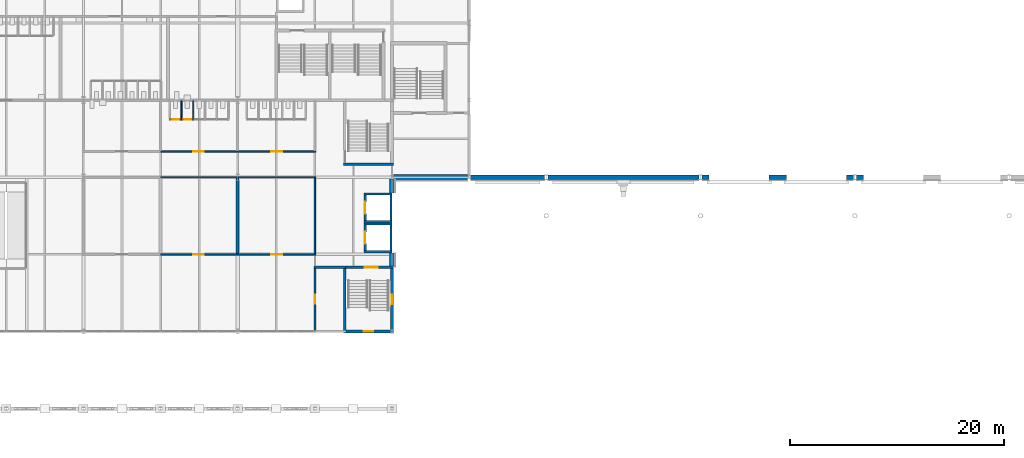
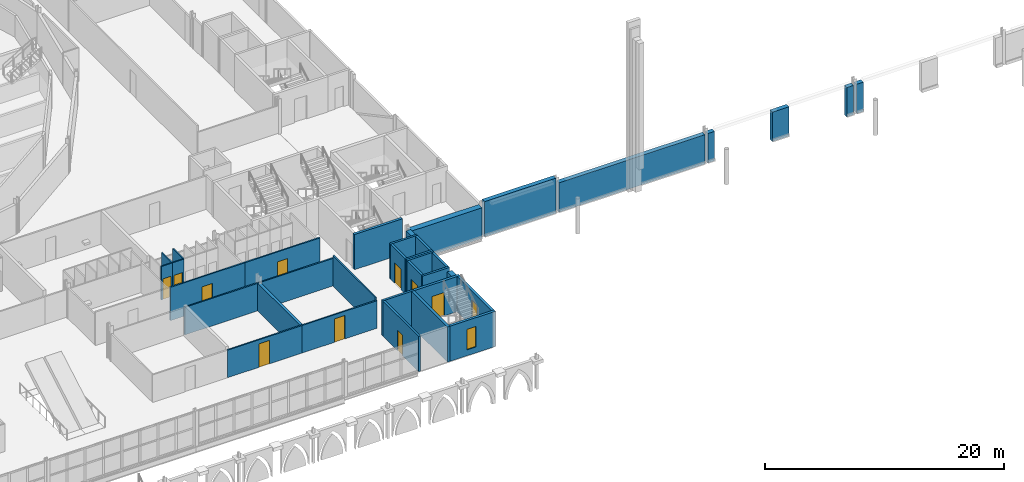
# One storey, part 48 of 90: 36 walls, 10 doors, 2 windows, 12 openings.
"""IFC4 building model written with IfcOpenShell, lengths in metres."""

from ifc_helpers import new_model, si_unit, direction, frame, frame_2d, origin, place, context, subcontext, project, spatial, rectangle, extrude, material, layer, layer_set, type_object, element, fill, save


model = new_model("IFC4")

# Units and contexts
model_context = context("Model", 3, precision=1e-05, world=origin(), true_north=direction((0.0, 1.0)))
body_context = subcontext(model_context, "Body", "Model", "MODEL_VIEW")
ifc_project = project(units=[si_unit("LENGTHUNIT", "METRE"), si_unit("AREAUNIT", "SQUARE_METRE"), si_unit("VOLUMEUNIT", "CUBIC_METRE"), si_unit("PLANEANGLEUNIT", "RADIAN"), si_unit("MASSUNIT", "GRAM", prefix="KILO")], contexts=[model_context])

# Site, building, storey
site_placement = place(None, origin())
site = spatial("IfcSite", under=ifc_project, at=site_placement, CompositionType="ELEMENT")
building_placement = place(site_placement, origin())
building = spatial("IfcBuilding", under=site, at=building_placement, Name="Kupolbacken Congress Centre", CompositionType="ELEMENT")
storey_placement = place(building_placement, frame((0.0, 0.0, 3.60009765625)))
storey = spatial("IfcBuildingStorey", under=building, at=storey_placement, Name="L01", CompositionType="ELEMENT", Elevation=3.60009765625)

# Walls
ifc_material_1 = material(Name="Brick", Category="masonry")
ifc_layer_1 = layer(ifc_material_1, 0.10791015625)
ifc_material_2 = material(Name="Air cavity", Category="air")
ifc_layer_2 = layer(ifc_material_2, 0.0400390625, ventilated=True)
ifc_material_3 = material(Name="Mineral wool", Category="insulation")
ifc_layer_3 = layer(ifc_material_3, 0.152099609375)
ifc_material_4 = material(Name="Concrete block", Category="masonry")
ifc_layer_4 = layer(ifc_material_4, 0.1201171875)
ifc_layer_set_1 = layer_set([ifc_layer_1, ifc_layer_2, ifc_layer_3, ifc_layer_4], Name="Brick / Mineral wool / Concrete block")
wall_type_1 = type_object("IfcWallType", Name="EW04 external cavity wall 420", PredefinedType="SOLIDWALL", material=ifc_layer_set_1)
wall_1_placement = place(storey_placement, frame((86.550048828125, 43.199951171875, 0.0), z_axis=(0.0, 0.0, 1.0), x_axis=(1.0, 0.0, 0.0)))
element("IfcWall", 1, at=wall_1_placement, inside=storey, type_object=wall_type_1, Name="E/H/S/L01/171", PredefinedType="SOLIDWALL", context=body_context, shape_type="SweptSolid", body=[
    extrude(rectangle(XDim=6.89990234375, YDim=0.419921875, at=frame_2d((3.449951171875, 0.0))), origin(), (0.0, 0.0, 1.0), 3.599853515625),
])
wall_2_placement = place(storey_placement, frame((93.75, 43.199951171875, 0.0), z_axis=(0.0, 0.0, 1.0), x_axis=(1.0, 0.0, 0.0)))
element("IfcWall", 2, at=wall_2_placement, inside=storey, type_object=wall_type_1, Name="E/H/S/L01/172", PredefinedType="SOLIDWALL", context=body_context, shape_type="SweptSolid", body=[
    extrude(rectangle(XDim=14.10009765625, YDim=0.419921875, at=frame_2d((7.050048828125, 0.0))), origin(), (0.0, 0.0, 1.0), 3.0),
])
wall_3_placement = place(storey_placement, frame((108.14990234375, 43.199951171875, 0.0), z_axis=(0.0, 0.0, 1.0), x_axis=(1.0, 0.0, 0.0)))
element("IfcWall", 3, at=wall_3_placement, inside=storey, type_object=wall_type_1, Name="E/H/S/L01/173", PredefinedType="SOLIDWALL", context=body_context, shape_type="SweptSolid", body=[
    extrude(rectangle(XDim=0.650146484375, YDim=0.419921875, at=frame_2d((0.3251953125, 0.0))), origin(), (0.0, 0.0, 1.0), 3.0),
])
wall_4_placement = place(storey_placement, frame((114.39990234375, 43.199951171875, 0.0), z_axis=(0.0, 0.0, 1.0), x_axis=(1.0, 0.0, 0.0)))
element("IfcWall", 4, at=wall_4_placement, inside=storey, type_object=wall_type_1, Name="E/H/S/L01/174", PredefinedType="SOLIDWALL", context=body_context, shape_type="SweptSolid", body=[
    extrude(rectangle(XDim=1.60009765625, YDim=0.419921875, at=frame_2d((0.800048828125, 0.0))), origin(), (0.0, 0.0, 1.0), 3.0),
])
for number, where, z_axis, x_axis, name in (
    (5, (121.60009765625, 43.199951171875, 0.0), (0.0, 0.0, 1.0), (1.0, 0.0, 0.0), "E/H/S/L01/175"),
    (6, (122.550048828125, 43.199951171875, 0.0), (0.0, 0.0, 1.0), (1.0, 0.0, 0.0), "E/H/S/L01/176"),
):
    element("IfcWall", number, at=place(storey_placement, frame(where, z_axis=z_axis, x_axis=x_axis)), inside=storey, type_object=wall_type_1, Name=name, PredefinedType="SOLIDWALL", context=body_context, shape_type="SweptSolid", body=[
        extrude(rectangle(XDim=0.64990234375, YDim=0.419921875, at=frame_2d((0.324951171875, 0.0))), origin(), (0.0, 0.0, 1.0), 3.0),
    ])
ifc_material_5 = material(Name="Concrete C40/50", Category="concrete")
ifc_layer_5 = layer(ifc_material_5, 0.1201171875)
ifc_layer_6 = layer(ifc_material_3, 0.19189453125)
ifc_layer_7 = layer(ifc_material_2, 0.0400390625, ventilated=True)
ifc_layer_8 = layer(ifc_material_1, 0.10791015625)
ifc_layer_set_2 = layer_set([ifc_layer_5, ifc_layer_6, ifc_layer_7, ifc_layer_8], Name="Concrete C40/50 / Mineral wool / Brick")
wall_type_2 = type_object("IfcWallType", Name="EW06 external cavity wall 460", PredefinedType="SOLIDWALL", material=ifc_layer_set_2)
wall_5_placement = place(storey_placement, frame((79.199951171875, 34.925048828125, 0.0), z_axis=(0.0, 0.0, 1.0), x_axis=(0.0, 1.0, 0.0)))
element("IfcWall", 7, at=wall_5_placement, inside=storey, type_object=wall_type_2, Name="E/F/E/L01/133", PredefinedType="SOLIDWALL", context=body_context, shape_type="SweptSolid", body=[
    extrude(rectangle(XDim=1.224853515625, YDim=0.4599609375, at=frame_2d((0.6123046875, 0.0))), origin(), (0.0, 0.0, 1.0), 3.219970703125),
])
wall_6_placement = place(storey_placement, frame((79.199951171875, 41.75, 0.0), z_axis=(0.0, 0.0, 1.0), x_axis=(0.0, 1.0, 0.0)))
element("IfcWall", 8, at=wall_6_placement, inside=storey, type_object=wall_type_2, Name="E/F/E/L01/134", PredefinedType="SOLIDWALL", context=body_context, shape_type="SweptSolid", body=[
    extrude(rectangle(XDim=1.300048828125, YDim=0.4599609375, at=frame_2d((0.64990234375, 0.0))), origin(), (0.0, 0.0, 1.0), 3.219970703125),
])
ifc_layer_9 = layer(ifc_material_5, 0.199951171875)
ifc_layer_10 = layer(ifc_material_3, 0.199951171875)
ifc_layer_11 = layer(ifc_material_2, 0.0400390625, ventilated=True)
ifc_material_6 = material(Name="Limestone", Category="masonry")
ifc_layer_12 = layer(ifc_material_6, 0.1201171875)
ifc_layer_set_3 = layer_set([ifc_layer_9, ifc_layer_10, ifc_layer_11, ifc_layer_12], Name="Concrete C40/50 / Mineral wool / Limestone")
wall_type_3 = type_object("IfcWallType", Name="EW09 external cavity wall 560", PredefinedType="SOLIDWALL", material=ifc_layer_set_3)
wall_7_placement = place(storey_placement, frame((79.35009765625, 43.199951171875, 0.0), z_axis=(0.0, 0.0, 1.0), x_axis=(1.0, 0.0, 0.0)))
element("IfcWall", 9, at=wall_7_placement, inside=storey, type_object=wall_type_3, Name="E/LINK/S/L01/188", PredefinedType="SOLIDWALL", context=body_context, shape_type="SweptSolid", body=[
    extrude(rectangle(XDim=6.89990234375, YDim=0.56005859375, at=frame_2d((3.449951171875, 0.0))), origin(), (0.0, 0.0, 1.0), 3.119873046875),
])

# Wall, opening, door
ifc_material_7 = material(Name="Gypsum board", Category="drywall")
ifc_layer_13 = layer(ifc_material_7, 0.114990234375)
ifc_layer_set_4 = layer_set([ifc_layer_13], Name="Gypsum board")
wall_type_4 = type_object("IfcWallType", Name="P04 partition 115", PredefinedType="PARTITIONING", material=ifc_layer_set_4)
wall_8_placement = place(storey_placement, frame((58.449951171875, 48.60009765625, 0.0), z_axis=(0.0, 0.0, 1.0), x_axis=(1.0, 0.0, 0.0)))
wall_8 = element("IfcWall", 10, at=wall_8_placement, inside=storey, type_object=wall_type_4, Name="PD/L01/F-WC-02/cub01/F", PredefinedType="PARTITIONING", context=body_context, shape_type="SweptSolid", body=[
    extrude(rectangle(XDim=1.10009765625, YDim=0.114990234375, at=frame_2d((0.550048828125, 0.0))), origin(), (0.0, 0.0, 1.0), 3.419921875),
])
opening_1_placement = place(wall_8_placement, frame((0.14990234375, 0.0, 0.0)))
opening_1 = element("IfcOpeningElement", 11, at=opening_1_placement, cuts=wall_8, Name="Opening 1.WF21", PredefinedType="OPENING", context=body_context, shape_type="SweptSolid", body=[
    extrude(rectangle(XDim=0.800048828125, YDim=2.10009765625, at=frame_2d((0.39990234375, 1.050048828125))), frame((0.0, 0.0673828125, 0.0), z_axis=(0.0, -1.0, 0.0), x_axis=(1.0, 0.0, 0.0)), (0.0, 0.0, 1.0), 0.135009765625),
])
ifc_material_8 = material(Name="Timber door leaf", Category="wood")
door_type_1 = type_object("IfcDoorType", Name="D2 door 800x2100", OperationType="SINGLE_SWING_LEFT", PredefinedType="DOOR", material=ifc_material_8)
door_1_placement = place(opening_1_placement, origin())
door_1 = element("IfcDoor", 12, at=door_1_placement, inside=storey, type_object=door_type_1, Name="PD/L01/F-WC-02/cub01/F/DC", OperationType="SINGLE_SWING_RIGHT", OverallHeight=2.10009765625, OverallWidth=0.800048828125, PredefinedType="DOOR", context=body_context, shape_type="SweptSolid", body=[
    extrude(rectangle(XDim=0.800048828125, YDim=2.10009765625, at=frame_2d((0.39990234375, 1.050048828125))), frame((0.0, 0.02490234375, 0.0), z_axis=(0.0, -1.0, 0.0), x_axis=(1.0, 0.0, 0.0)), (0.0, 0.0, 1.0), 0.050048828125),
])
fill(opening_1, door_1)

wall_9_placement = place(storey_placement, frame((59.550048828125, 48.60009765625, 0.0), z_axis=(0.0, 0.0, 1.0), x_axis=(1.0, 0.0, 0.0)))
wall_9 = element("IfcWall", 13, at=wall_9_placement, inside=storey, type_object=wall_type_4, Name="PD/L01/F-WC-02/cub02/F", PredefinedType="PARTITIONING", context=body_context, shape_type="SweptSolid", body=[
    extrude(rectangle(XDim=1.099853515625, YDim=0.114990234375, at=frame_2d((0.5498046875, 0.0))), origin(), (0.0, 0.0, 1.0), 3.419921875),
])
opening_2_placement = place(wall_9_placement, frame((0.14990234375, 0.0, 0.0)))
opening_2 = element("IfcOpeningElement", 14, at=opening_2_placement, cuts=wall_9, Name="Opening 1.WF22", PredefinedType="OPENING", context=body_context, shape_type="SweptSolid", body=[
    extrude(rectangle(XDim=0.800048828125, YDim=2.10009765625, at=frame_2d((0.39990234375, 1.050048828125))), frame((0.0, 0.0673828125, 0.0), z_axis=(0.0, -1.0, 0.0), x_axis=(1.0, 0.0, 0.0)), (0.0, 0.0, 1.0), 0.135009765625),
])
door_2_placement = place(opening_2_placement, origin())
door_2 = element("IfcDoor", 15, at=door_2_placement, inside=storey, type_object=door_type_1, Name="PD/L01/F-WC-02/cub02/F/DC", OperationType="SINGLE_SWING_RIGHT", OverallHeight=2.10009765625, OverallWidth=0.800048828125, PredefinedType="DOOR", context=body_context, shape_type="SweptSolid", body=[
    extrude(rectangle(XDim=0.800048828125, YDim=2.10009765625, at=frame_2d((0.39990234375, 1.050048828125))), frame((0.0, 0.02490234375, 0.0), z_axis=(0.0, -1.0, 0.0), x_axis=(1.0, 0.0, 0.0)), (0.0, 0.0, 1.0), 0.050048828125),
])
fill(opening_2, door_2)

# Walls
for number, where, z_axis, x_axis, name in (
    (16, (59.550048828125, 50.342529296875, 0.0), (0.0, 0.0, 1.0), (0.0, -1.0, 0.0), "PD/L01/F-WC-02/cub02/a"),
    (17, (60.64990234375, 50.342529296875, 0.0), (0.0, 0.0, 1.0), (0.0, -1.0, 0.0), "PD/L01/F-WC-02/cub03/a"),
):
    element("IfcWall", number, at=place(storey_placement, frame(where, z_axis=z_axis, x_axis=x_axis)), inside=storey, type_object=wall_type_4, Name=name, PredefinedType="PARTITIONING", context=body_context, shape_type="SweptSolid", body=[
        extrude(rectangle(XDim=1.68505859375, YDim=0.114990234375, at=frame_2d((0.842529296875, 0.0))), origin(), (0.0, 0.0, 1.0), 3.419921875),
    ])
ifc_material_9 = material(Name="Gypsum board", Category="drywall")
ifc_layer_14 = layer(ifc_material_9, 0.135009765625)
ifc_layer_set_5 = layer_set([ifc_layer_14], Name="Gypsum board")
wall_type_5 = type_object("IfcWallType", Name="P06 compartment wall 135", PredefinedType="PARTITIONING", material=ifc_layer_set_5)
wall_10_placement = place(storey_placement, frame((72.0, 36.0673828125, 0.0), z_axis=(0.0, 0.0, 1.0), x_axis=(0.0, 1.0, 0.0)))
element("IfcWall", 18, at=wall_10_placement, inside=storey, type_object=wall_type_5, Name="PD/L01/W002", PredefinedType="PARTITIONING", context=body_context, shape_type="SweptSolid", body=[
    extrude(rectangle(XDim=7.065185546875, YDim=0.135009765625, at=frame_2d((3.53271484375, 0.0))), origin(), (0.0, 0.0, 1.0), 3.119873046875),
])

# Wall, opening, door
wall_11_placement = place(storey_placement, frame((57.60009765625, 36.0, 0.0), z_axis=(0.0, 0.0, 1.0), x_axis=(1.0, 0.0, 0.0)))
wall_11 = element("IfcWall", 19, at=wall_11_placement, inside=storey, type_object=wall_type_5, Name="PD/L01/W027", PredefinedType="PARTITIONING", context=body_context, shape_type="SweptSolid", body=[
    extrude(rectangle(XDim=7.199951171875, YDim=0.135009765625, at=frame_2d((3.60009765625, 0.0))), origin(), (0.0, 0.0, 1.0), 2.81982421875),
])
opening_3_placement = place(wall_11_placement, frame((3.050048828125, 0.0, 0.0)))
opening_3 = element("IfcOpeningElement", 20, at=opening_3_placement, cuts=wall_11, Name="Opening 1.F11", PredefinedType="OPENING", context=body_context, shape_type="SweptSolid", body=[
    extrude(rectangle(XDim=1.0, YDim=2.39990234375, at=frame_2d((0.5, 1.199951171875))), frame((0.0, 0.077392578125, 0.0), z_axis=(0.0, -1.0, 0.0), x_axis=(1.0, 0.0, 0.0)), (0.0, 0.0, 1.0), 0.155029296875),
])
ifc_material_10 = material(Name="Steel fire door leaf", Category="steel")
door_type_2 = type_object("IfcDoorType", Name="D8 fire door 1000x2400", OperationType="SINGLE_SWING_LEFT", PredefinedType="DOOR", material=ifc_material_10)
door_3_placement = place(opening_3_placement, origin())
door_3 = element("IfcDoor", 21, at=door_3_placement, inside=storey, type_object=door_type_2, Name="PD/L01/W027/D1F11", OperationType="SINGLE_SWING_RIGHT", OverallHeight=2.39990234375, OverallWidth=1.0, PredefinedType="DOOR", context=body_context, shape_type="SweptSolid", body=[
    extrude(rectangle(XDim=1.0, YDim=2.39990234375, at=frame_2d((0.5, 1.199951171875))), frame((0.0, 0.02490234375, 0.0), z_axis=(0.0, -1.0, 0.0), x_axis=(1.0, 0.0, 0.0)), (0.0, 0.0, 1.0), 0.050048828125),
])
fill(opening_3, door_3)

wall_12_placement = place(storey_placement, frame((64.800048828125, 36.0, 0.0), z_axis=(0.0, 0.0, 1.0), x_axis=(1.0, 0.0, 0.0)))
wall_12 = element("IfcWall", 22, at=wall_12_placement, inside=storey, type_object=wall_type_5, Name="PD/L01/W028", PredefinedType="PARTITIONING", context=body_context, shape_type="SweptSolid", body=[
    extrude(rectangle(XDim=7.267333984375, YDim=0.135009765625, at=frame_2d((3.6337890625, 0.0))), origin(), (0.0, 0.0, 1.0), 2.81982421875),
])
opening_4_placement = place(wall_12_placement, frame((3.14990234375, 0.0, 0.0)))
opening_4 = element("IfcOpeningElement", 23, at=opening_4_placement, cuts=wall_12, Name="Opening 1.F12", PredefinedType="OPENING", context=body_context, shape_type="SweptSolid", body=[
    extrude(rectangle(XDim=1.0, YDim=2.39990234375, at=frame_2d((0.5, 1.199951171875))), frame((0.0, 0.077392578125, 0.0), z_axis=(0.0, -1.0, 0.0), x_axis=(1.0, 0.0, 0.0)), (0.0, 0.0, 1.0), 0.155029296875),
])
door_4_placement = place(opening_4_placement, origin())
door_4 = element("IfcDoor", 24, at=door_4_placement, inside=storey, type_object=door_type_2, Name="PD/L01/W028/D1F12", OperationType="SINGLE_SWING_LEFT", OverallHeight=2.39990234375, OverallWidth=1.0, PredefinedType="DOOR", context=body_context, shape_type="SweptSolid", body=[
    extrude(rectangle(XDim=1.0, YDim=2.39990234375, at=frame_2d((0.5, 1.199951171875))), frame((0.0, 0.02490234375, 0.0), z_axis=(0.0, -1.0, 0.0), x_axis=(1.0, 0.0, 0.0)), (0.0, 0.0, 1.0), 0.050048828125),
])
fill(opening_4, door_4)

# Walls
wall_13_placement = place(storey_placement, frame((57.60009765625, 43.199951171875, 0.0), z_axis=(0.0, 0.0, 1.0), x_axis=(1.0, 0.0, 0.0)))
element("IfcWall", 25, at=wall_13_placement, inside=storey, type_object=wall_type_5, Name="PD/L01/W044", PredefinedType="PARTITIONING", context=body_context, shape_type="SweptSolid", body=[
    extrude(rectangle(XDim=7.199951171875, YDim=0.135009765625, at=frame_2d((3.60009765625, 0.0))), origin(), (0.0, 0.0, 1.0), 2.81982421875),
])
wall_14_placement = place(storey_placement, frame((64.800048828125, 43.199951171875, 0.0), z_axis=(0.0, 0.0, 1.0), x_axis=(1.0, 0.0, 0.0)))
element("IfcWall", 26, at=wall_14_placement, inside=storey, type_object=wall_type_5, Name="PD/L01/W045", PredefinedType="PARTITIONING", context=body_context, shape_type="SweptSolid", body=[
    extrude(rectangle(XDim=7.267333984375, YDim=0.135009765625, at=frame_2d((3.6337890625, 0.0))), origin(), (0.0, 0.0, 1.0), 2.81982421875),
])

# Wall, opening, door
wall_15_placement = place(storey_placement, frame((57.60009765625, 45.60009765625, 0.0), z_axis=(0.0, 0.0, 1.0), x_axis=(1.0, 0.0, 0.0)))
wall_15 = element("IfcWall", 27, at=wall_15_placement, inside=storey, type_object=wall_type_5, Name="PD/L01/W047", PredefinedType="PARTITIONING", context=body_context, shape_type="SweptSolid", body=[
    extrude(rectangle(XDim=7.199951171875, YDim=0.135009765625, at=frame_2d((3.60009765625, 0.0))), origin(), (0.0, 0.0, 1.0), 3.419921875),
])
opening_5_placement = place(wall_15_placement, frame((3.050048828125, 0.0, 0.0)))
opening_5 = element("IfcOpeningElement", 28, at=opening_5_placement, cuts=wall_15, Name="Opening 1.F14", PredefinedType="OPENING", context=body_context, shape_type="SweptSolid", body=[
    extrude(rectangle(XDim=1.0, YDim=2.39990234375, at=frame_2d((0.5, 1.199951171875))), frame((0.0, 0.077392578125, 0.0), z_axis=(0.0, -1.0, 0.0), x_axis=(1.0, 0.0, 0.0)), (0.0, 0.0, 1.0), 0.155029296875),
])
door_5_placement = place(opening_5_placement, frame((1.0, 0.0, 0.0), z_axis=(0.0, 0.0, 1.0), x_axis=(-1.0, 0.0, 0.0)))
door_5 = element("IfcDoor", 29, at=door_5_placement, inside=storey, type_object=door_type_2, Name="PD/L01/W047/D1F14", OperationType="SINGLE_SWING_RIGHT", OverallHeight=2.39990234375, OverallWidth=1.0, PredefinedType="DOOR", context=body_context, shape_type="SweptSolid", body=[
    extrude(rectangle(XDim=1.0, YDim=2.39990234375, at=frame_2d((0.5, 1.199951171875))), frame((0.0, 0.02490234375, 0.0), z_axis=(0.0, -1.0, 0.0), x_axis=(1.0, 0.0, 0.0)), (0.0, 0.0, 1.0), 0.050048828125),
])
fill(opening_5, door_5)

wall_16_placement = place(storey_placement, frame((64.800048828125, 45.60009765625, 0.0), z_axis=(0.0, 0.0, 1.0), x_axis=(1.0, 0.0, 0.0)))
wall_16 = element("IfcWall", 30, at=wall_16_placement, inside=storey, type_object=wall_type_5, Name="PD/L01/W048", PredefinedType="PARTITIONING", context=body_context, shape_type="SweptSolid", body=[
    extrude(rectangle(XDim=7.267333984375, YDim=0.135009765625, at=frame_2d((3.6337890625, 0.0))), origin(), (0.0, 0.0, 1.0), 3.419921875),
])
opening_6_placement = place(wall_16_placement, frame((3.14990234375, 0.0, 0.0)))
opening_6 = element("IfcOpeningElement", 31, at=opening_6_placement, cuts=wall_16, Name="Opening 1.F15", PredefinedType="OPENING", context=body_context, shape_type="SweptSolid", body=[
    extrude(rectangle(XDim=1.0, YDim=2.39990234375, at=frame_2d((0.5, 1.199951171875))), frame((0.0, 0.077392578125, 0.0), z_axis=(0.0, -1.0, 0.0), x_axis=(1.0, 0.0, 0.0)), (0.0, 0.0, 1.0), 0.155029296875),
])
door_6_placement = place(opening_6_placement, frame((1.0, 0.0, 0.0), z_axis=(0.0, 0.0, 1.0), x_axis=(-1.0, 0.0, 0.0)))
door_6 = element("IfcDoor", 32, at=door_6_placement, inside=storey, type_object=door_type_2, Name="PD/L01/W048/D1F15", OperationType="SINGLE_SWING_RIGHT", OverallHeight=2.39990234375, OverallWidth=1.0, PredefinedType="DOOR", context=body_context, shape_type="SweptSolid", body=[
    extrude(rectangle(XDim=1.0, YDim=2.39990234375, at=frame_2d((0.5, 1.199951171875))), frame((0.0, 0.02490234375, 0.0), z_axis=(0.0, -1.0, 0.0), x_axis=(1.0, 0.0, 0.0)), (0.0, 0.0, 1.0), 0.050048828125),
])
fill(opening_6, door_6)

# Wall
ifc_material_11 = material(Name="Gypsum board", Category="drywall")
ifc_layer_15 = layer(ifc_material_11, 0.27490234375)
ifc_layer_set_6 = layer_set([ifc_layer_15], Name="Gypsum board")
wall_type_6 = type_object("IfcWallType", Name="P12 partition 275", PredefinedType="PARTITIONING", material=ifc_layer_set_6)
wall_17_placement = place(storey_placement, frame((64.800048828125, 43.132568359375, 0.0), z_axis=(0.0, 0.0, 1.0), x_axis=(0.0, -1.0, 0.0)))
element("IfcWall", 33, at=wall_17_placement, inside=storey, type_object=wall_type_6, Name="PD/L01/W043", PredefinedType="PARTITIONING", context=body_context, shape_type="SweptSolid", body=[
    extrude(rectangle(XDim=7.065185546875, YDim=0.27490234375, at=frame_2d((3.53271484375, 0.0))), origin(), (0.0, 0.0, 1.0), 2.81982421875),
])

# Wall, opening, door
ifc_material_12 = material(Name="Concrete C40/50", Category="concrete")
ifc_layer_16 = layer(ifc_material_12, 0.199951171875)
ifc_layer_set_7 = layer_set([ifc_layer_16], Name="Concrete C40/50")
wall_type_7 = type_object("IfcWallType", Name="WC1 RC shaft wall 200", PredefinedType="SHEAR", material=ifc_layer_set_7)
wall_18_placement = place(storey_placement, frame((72.0, 34.89990234375, 0.0), z_axis=(0.0, 0.0, 1.0), x_axis=(0.0, -1.0, 0.0)))
wall_18 = element("IfcWall", 34, at=wall_18_placement, inside=storey, type_object=wall_type_7, Name="Shaft wall L01-010", PredefinedType="SHEAR", context=body_context, shape_type="SweptSolid", body=[
    extrude(rectangle(XDim=6.199951171875, YDim=0.199951171875, at=frame_2d((3.10009765625, 0.0))), origin(), (0.0, 0.0, 1.0), 3.599853515625),
])
opening_7_placement = place(wall_18_placement, frame((2.64990234375, 0.0, 0.0)))
opening_7 = element("IfcOpeningElement", 35, at=opening_7_placement, cuts=wall_18, Name="Opening 1.F06", PredefinedType="OPENING", context=body_context, shape_type="SweptSolid", body=[
    extrude(rectangle(XDim=0.85009765625, YDim=2.10009765625, at=frame_2d((0.425048828125, 1.050048828125))), frame((0.0, 0.10986328125, 0.0), z_axis=(0.0, -1.0, 0.0), x_axis=(1.0, 0.0, 0.0)), (0.0, 0.0, 1.0), 0.219970703125),
])
ifc_material_13 = material(Name="Steel fire door leaf", Category="steel")
door_type_3 = type_object("IfcDoorType", Name="D3 fire door 850x2100", OperationType="SINGLE_SWING_LEFT", PredefinedType="DOOR", material=ifc_material_13)
door_7_placement = place(opening_7_placement, origin())
door_7 = element("IfcDoor", 36, at=door_7_placement, inside=storey, type_object=door_type_3, Name="S/core/L01/010/D1F06", OperationType="SINGLE_SWING_RIGHT", OverallHeight=2.10009765625, OverallWidth=0.85009765625, PredefinedType="DOOR", context=body_context, shape_type="SweptSolid", body=[
    extrude(rectangle(XDim=0.85009765625, YDim=2.10009765625, at=frame_2d((0.425048828125, 1.050048828125))), frame((0.0, 0.02490234375, 0.0), z_axis=(0.0, -1.0, 0.0), x_axis=(1.0, 0.0, 0.0)), (0.0, 0.0, 1.0), 0.050048828125),
])
fill(opening_7, door_7)

# Walls
wall_19_placement = place(storey_placement, frame((74.925048828125, 34.800048828125, 0.0), z_axis=(0.0, 0.0, 1.0), x_axis=(-1.0, 0.0, 0.0)))
element("IfcWall", 37, at=wall_19_placement, inside=storey, type_object=wall_type_7, Name="Shaft wall L01-012", PredefinedType="SHEAR", context=body_context, shape_type="SweptSolid", body=[
    extrude(rectangle(XDim=3.025146484375, YDim=0.199951171875, at=frame_2d((1.5126953125, 0.0))), origin(), (0.0, 0.0, 1.0), 3.599853515625),
])
for number, where, z_axis, x_axis, name in (
    (38, (76.60009765625, 36.25, 0.0), (0.0, 0.0, 1.0), (1.0, 0.0, 0.0), "Shaft wall LP3"),
    (39, (76.60009765625, 38.85009765625, 0.0), (0.0, 0.0, 1.0), (1.0, 0.0, 0.0), "Shaft wall LP3"),
):
    element("IfcWall", number, at=place(storey_placement, frame(where, z_axis=z_axis, x_axis=x_axis)), inside=storey, type_object=wall_type_7, Name=name, PredefinedType="SHEAR", context=body_context, shape_type="SweptSolid", body=[
        extrude(rectangle(XDim=2.599853515625, YDim=0.199951171875, at=frame_2d((1.2998046875, 0.0))), origin(), (0.0, 0.0, 1.0), 3.599853515625),
    ])

# Wall, opening, door
wall_20_placement = place(storey_placement, frame((76.699951171875, 36.35009765625, 0.0), z_axis=(0.0, 0.0, 1.0), x_axis=(0.0, 1.0, 0.0)))
wall_20 = element("IfcWall", 40, at=wall_20_placement, inside=storey, type_object=wall_type_7, Name="Shaft wall LP3", PredefinedType="SHEAR", context=body_context, shape_type="SweptSolid", body=[
    extrude(rectangle(XDim=2.39990234375, YDim=0.199951171875, at=frame_2d((1.199951171875, 0.0))), origin(), (0.0, 0.0, 1.0), 3.599853515625),
])
opening_8_placement = place(wall_20_placement, frame((0.64990234375, 0.0, 0.0)))
opening_8 = element("IfcOpeningElement", 41, at=opening_8_placement, cuts=wall_20, Name="Opening LD2", PredefinedType="OPENING", context=body_context, shape_type="SweptSolid", body=[
    extrude(rectangle(XDim=1.10009765625, YDim=2.10009765625, at=frame_2d((0.550048828125, 1.050048828125))), frame((0.0, 0.10986328125, 0.0), z_axis=(0.0, -1.0, 0.0), x_axis=(1.0, 0.0, 0.0)), (0.0, 0.0, 1.0), 0.219970703125),
])
ifc_material_14 = material(Name="Stainless steel door leaf", Category="steel")
door_type_4 = type_object("IfcDoorType", Name="LD2 lift landing door 1100x2100", OperationType="SLIDING_TO_LEFT", PredefinedType="DOOR", material=ifc_material_14)
door_8_placement = place(opening_8_placement, origin())
door_8 = element("IfcDoor", 42, at=door_8_placement, inside=storey, type_object=door_type_4, Name="Lift landing door LP3", OperationType="SLIDING_TO_LEFT", OverallHeight=2.10009765625, OverallWidth=1.10009765625, PredefinedType="DOOR", context=body_context, shape_type="SweptSolid", body=[
    extrude(rectangle(XDim=1.10009765625, YDim=2.10009765625, at=frame_2d((0.550048828125, 1.050048828125))), frame((0.0, 0.02490234375, 0.0), z_axis=(0.0, -1.0, 0.0), x_axis=(1.0, 0.0, 0.0)), (0.0, 0.0, 1.0), 0.050048828125),
])
fill(opening_8, door_8)

# Walls
wall_21_placement = place(storey_placement, frame((79.10009765625, 36.35009765625, 0.0), z_axis=(0.0, 0.0, 1.0), x_axis=(0.0, 1.0, 0.0)))
element("IfcWall", 43, at=wall_21_placement, inside=storey, type_object=wall_type_7, Name="Shaft wall LP3", PredefinedType="SHEAR", context=body_context, shape_type="SweptSolid", body=[
    extrude(rectangle(XDim=2.39990234375, YDim=0.199951171875, at=frame_2d((1.199951171875, 0.0))), origin(), (0.0, 0.0, 1.0), 3.599853515625),
])
for number, where, z_axis, x_axis, name in (
    (44, (76.60009765625, 39.050048828125, 0.0), (0.0, 0.0, 1.0), (1.0, 0.0, 0.0), "Shaft wall LP4"),
    (45, (76.60009765625, 41.64990234375, 0.0), (0.0, 0.0, 1.0), (1.0, 0.0, 0.0), "Shaft wall LP4"),
):
    element("IfcWall", number, at=place(storey_placement, frame(where, z_axis=z_axis, x_axis=x_axis)), inside=storey, type_object=wall_type_7, Name=name, PredefinedType="SHEAR", context=body_context, shape_type="SweptSolid", body=[
        extrude(rectangle(XDim=2.599853515625, YDim=0.199951171875, at=frame_2d((1.2998046875, 0.0))), origin(), (0.0, 0.0, 1.0), 3.599853515625),
    ])

# Wall, opening, door
wall_22_placement = place(storey_placement, frame((76.699951171875, 39.14990234375, 0.0), z_axis=(0.0, 0.0, 1.0), x_axis=(0.0, 1.0, 0.0)))
wall_22 = element("IfcWall", 46, at=wall_22_placement, inside=storey, type_object=wall_type_7, Name="Shaft wall LP4", PredefinedType="SHEAR", context=body_context, shape_type="SweptSolid", body=[
    extrude(rectangle(XDim=2.400146484375, YDim=0.199951171875, at=frame_2d((1.2001953125, 0.0))), origin(), (0.0, 0.0, 1.0), 3.599853515625),
])
opening_9_placement = place(wall_22_placement, frame((0.64990234375, 0.0, 0.0)))
opening_9 = element("IfcOpeningElement", 47, at=opening_9_placement, cuts=wall_22, Name="Opening LD2", PredefinedType="OPENING", context=body_context, shape_type="SweptSolid", body=[
    extrude(rectangle(XDim=1.10009765625, YDim=2.10009765625, at=frame_2d((0.550048828125, 1.050048828125))), frame((0.0, 0.10986328125, 0.0), z_axis=(0.0, -1.0, 0.0), x_axis=(1.0, 0.0, 0.0)), (0.0, 0.0, 1.0), 0.219970703125),
])
door_9_placement = place(opening_9_placement, origin())
door_9 = element("IfcDoor", 48, at=door_9_placement, inside=storey, type_object=door_type_4, Name="Lift landing door LP4", OperationType="SLIDING_TO_LEFT", OverallHeight=2.10009765625, OverallWidth=1.10009765625, PredefinedType="DOOR", context=body_context, shape_type="SweptSolid", body=[
    extrude(rectangle(XDim=1.10009765625, YDim=2.10009765625, at=frame_2d((0.550048828125, 1.050048828125))), frame((0.0, 0.02490234375, 0.0), z_axis=(0.0, -1.0, 0.0), x_axis=(1.0, 0.0, 0.0)), (0.0, 0.0, 1.0), 0.050048828125),
])
fill(opening_9, door_9)

# Wall
wall_23_placement = place(storey_placement, frame((79.10009765625, 39.14990234375, 0.0), z_axis=(0.0, 0.0, 1.0), x_axis=(0.0, 1.0, 0.0)))
element("IfcWall", 49, at=wall_23_placement, inside=storey, type_object=wall_type_7, Name="Shaft wall LP4", PredefinedType="SHEAR", context=body_context, shape_type="SweptSolid", body=[
    extrude(rectangle(XDim=2.400146484375, YDim=0.199951171875, at=frame_2d((1.2001953125, 0.0))), origin(), (0.0, 0.0, 1.0), 3.599853515625),
])

# Wall, opening, window
ifc_material_15 = material(Name="Concrete C40/50", Category="concrete")
ifc_layer_17 = layer(ifc_material_15, 0.25)
ifc_layer_set_8 = layer_set([ifc_layer_17], Name="Concrete C40/50")
wall_type_8 = type_object("IfcWallType", Name="WC2 RC stair enclosure wall 250", PredefinedType="SHEAR", material=ifc_layer_set_8)
wall_24_placement = place(storey_placement, frame((74.925048828125, 28.800048828125, 0.0), z_axis=(0.0, 0.0, 1.0), x_axis=(1.0, 0.0, 0.0)))
wall_24 = element("IfcWall", 50, at=wall_24_placement, inside=storey, type_object=wall_type_8, Name="Stair enclosure wall L01-005", PredefinedType="SHEAR", context=body_context, shape_type="SweptSolid", body=[
    extrude(rectangle(XDim=4.39990234375, YDim=0.25, at=frame_2d((2.199951171875, 0.0))), origin(), (0.0, 0.0, 1.0), 3.599853515625),
])
opening_10_placement = place(wall_24_placement, frame((1.625, 0.0, 0.60009765625)))
opening_10 = element("IfcOpeningElement", 51, at=opening_10_placement, cuts=wall_24, Name="Opening W28", PredefinedType="OPENING", context=body_context, shape_type="SweptSolid", body=[
    extrude(rectangle(XDim=0.89990234375, YDim=2.10009765625, at=frame_2d((0.449951171875, 1.050048828125))), frame((0.0, 0.135009765625, 0.0), z_axis=(0.0, -1.0, 0.0), x_axis=(1.0, 0.0, 0.0)), (0.0, 0.0, 1.0), 0.27001953125),
])
ifc_material_16 = material(Name="Aluminium frame with double or triple glazing", Category="aluminium")
window_type = type_object("IfcWindowType", Name="W28 window 900x2100", PartitioningType="SINGLE_PANEL", PredefinedType="WINDOW", material=ifc_material_16)
window_1_placement = place(opening_10_placement, origin())
window_1 = element("IfcWindow", 52, at=window_1_placement, inside=storey, type_object=window_type, Name="S/core/L01/005/W1/L01", OverallHeight=2.10009765625, OverallWidth=0.89990234375, PartitioningType="SINGLE_PANEL", PredefinedType="WINDOW", context=body_context, shape_type="SweptSolid", body=[
    extrude(rectangle(XDim=0.89990234375, YDim=2.10009765625, at=frame_2d((0.449951171875, 1.050048828125))), frame((0.0, 0.030029296875, 0.0), z_axis=(0.0, -1.0, 0.0), x_axis=(1.0, 0.0, 0.0)), (0.0, 0.0, 1.0), 0.06005859375),
])
fill(opening_10, window_1)

wall_25_placement = place(storey_placement, frame((79.199951171875, 28.675048828125, 0.0), z_axis=(0.0, 0.0, 1.0), x_axis=(0.0, 1.0, 0.0)))
wall_25 = element("IfcWall", 53, at=wall_25_placement, inside=storey, type_object=wall_type_8, Name="Stair enclosure wall L01-006", PredefinedType="SHEAR", context=body_context, shape_type="SweptSolid", body=[
    extrude(rectangle(XDim=6.25, YDim=0.25, at=frame_2d((3.125, 0.0))), origin(), (0.0, 0.0, 1.0), 3.599853515625),
])
opening_11_placement = place(wall_25_placement, frame((2.675048828125, 0.0, 0.60009765625)))
opening_11 = element("IfcOpeningElement", 54, at=opening_11_placement, cuts=wall_25, Name="Opening W28", PredefinedType="OPENING", context=body_context, shape_type="SweptSolid", body=[
    extrude(rectangle(XDim=0.89990234375, YDim=2.10009765625, at=frame_2d((0.449951171875, 1.050048828125))), frame((0.0, 0.135009765625, 0.0), z_axis=(0.0, -1.0, 0.0), x_axis=(1.0, 0.0, 0.0)), (0.0, 0.0, 1.0), 0.27001953125),
])
window_2_placement = place(opening_11_placement, origin())
window_2 = element("IfcWindow", 55, at=window_2_placement, inside=storey, type_object=window_type, Name="S/core/L01/006/W1/L01", OverallHeight=2.10009765625, OverallWidth=0.89990234375, PartitioningType="SINGLE_PANEL", PredefinedType="WINDOW", context=body_context, shape_type="SweptSolid", body=[
    extrude(rectangle(XDim=0.89990234375, YDim=2.10009765625, at=frame_2d((0.449951171875, 1.050048828125))), frame((0.0, 0.030029296875, 0.0), z_axis=(0.0, -1.0, 0.0), x_axis=(1.0, 0.0, 0.0)), (0.0, 0.0, 1.0), 0.06005859375),
])
fill(opening_11, window_2)

# Wall
wall_26_placement = place(storey_placement, frame((74.800048828125, 34.925048828125, 0.0), z_axis=(0.0, 0.0, 1.0), x_axis=(0.0, -1.0, 0.0)))
element("IfcWall", 56, at=wall_26_placement, inside=storey, type_object=wall_type_8, Name="Stair enclosure wall L01-011", PredefinedType="SHEAR", context=body_context, shape_type="SweptSolid", body=[
    extrude(rectangle(XDim=6.25, YDim=0.25, at=frame_2d((3.125, 0.0))), origin(), (0.0, 0.0, 1.0), 3.599853515625),
])

# Wall, opening, door
wall_27_placement = place(storey_placement, frame((79.324951171875, 34.800048828125, 0.0), z_axis=(0.0, 0.0, 1.0), x_axis=(-1.0, 0.0, 0.0)))
wall_27 = element("IfcWall", 57, at=wall_27_placement, inside=storey, type_object=wall_type_8, Name="Stair enclosure wall L01-013", PredefinedType="SHEAR", context=body_context, shape_type="SweptSolid", body=[
    extrude(rectangle(XDim=4.39990234375, YDim=0.25, at=frame_2d((2.199951171875, 0.0))), origin(), (0.0, 0.0, 1.0), 3.599853515625),
])
opening_12_placement = place(wall_27_placement, frame((1.47509765625, 0.0, 0.0)))
opening_12 = element("IfcOpeningElement", 58, at=opening_12_placement, cuts=wall_27, Name="Opening 1.F04", PredefinedType="OPENING", context=body_context, shape_type="SweptSolid", body=[
    extrude(rectangle(XDim=1.199951171875, YDim=2.39990234375, at=frame_2d((0.60009765625, 1.199951171875))), frame((0.0, 0.135009765625, 0.0), z_axis=(0.0, -1.0, 0.0), x_axis=(1.0, 0.0, 0.0)), (0.0, 0.0, 1.0), 0.27001953125),
])
ifc_material_17 = material(Name="Steel fire door leaf", Category="steel")
door_type_5 = type_object("IfcDoorType", Name="D9 fire door 1200x2400", OperationType="SINGLE_SWING_LEFT", PredefinedType="DOOR", material=ifc_material_17)
door_10_placement = place(opening_12_placement, origin())
door_10 = element("IfcDoor", 59, at=door_10_placement, inside=storey, type_object=door_type_5, Name="S/core/L01/013/D1F04", OperationType="SINGLE_SWING_RIGHT", OverallHeight=2.39990234375, OverallWidth=1.199951171875, PredefinedType="DOOR", context=body_context, shape_type="SweptSolid", body=[
    extrude(rectangle(XDim=1.199951171875, YDim=2.39990234375, at=frame_2d((0.60009765625, 1.199951171875))), frame((0.0, 0.02490234375, 0.0), z_axis=(0.0, -1.0, 0.0), x_axis=(1.0, 0.0, 0.0)), (0.0, 0.0, 1.0), 0.050048828125),
])
fill(opening_12, door_10)

# Wall
wall_28_placement = place(storey_placement, frame((74.675048828125, 44.39990234375, 0.0), z_axis=(0.0, 0.0, 1.0), x_axis=(1.0, 0.0, 0.0)))
element("IfcWall", 60, at=wall_28_placement, inside=storey, type_object=wall_type_8, Name="Stair enclosure wall L01-016", PredefinedType="SHEAR", context=body_context, shape_type="SweptSolid", body=[
    extrude(rectangle(XDim=4.64990234375, YDim=0.25, at=frame_2d((2.324951171875, 0.0))), origin(), (0.0, 0.0, 1.0), 3.599853515625),
])

save(model, "model.ifc")
